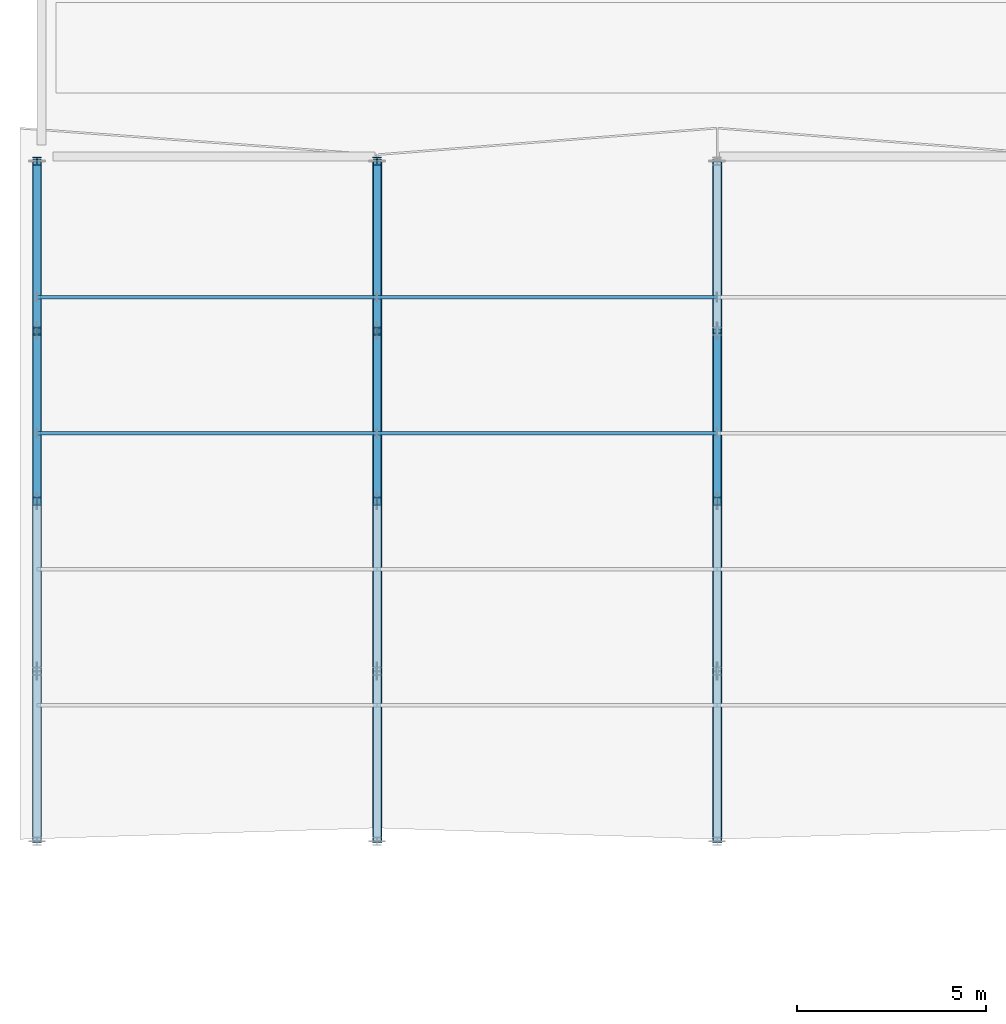
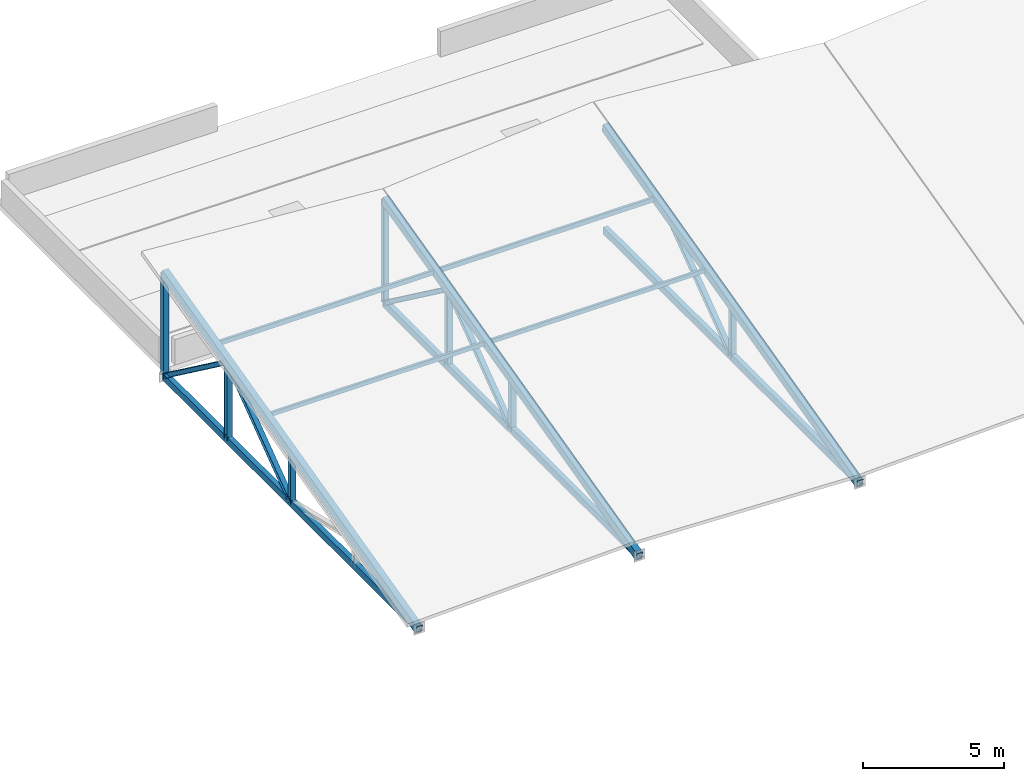
# One storey, part 15 of 67: 22 members.
"""IFC4 building model written with IfcOpenShell, lengths in metres."""

from ifc_helpers import new_model, si_unit, direction, frame, origin, origin_2d, place, context, subcontext, project, spatial, hollow_rectangle, i_section, extrude, material, material_profile, profile_set, type_object, element, save


model = new_model("IFC4")

# Units and contexts
model_context = context("Model", 3, precision=1e-05, world=origin(), true_north=direction((0.0, 1.0)))
body_context = subcontext(model_context, "Body", "Model", "MODEL_VIEW")
ifc_project = project(units=[si_unit("LENGTHUNIT", "METRE"), si_unit("AREAUNIT", "SQUARE_METRE"), si_unit("VOLUMEUNIT", "CUBIC_METRE"), si_unit("PLANEANGLEUNIT", "RADIAN"), si_unit("MASSUNIT", "GRAM", prefix="KILO")], contexts=[model_context])

# Site, building, storey
site_placement = place(None, origin())
site = spatial("IfcSite", under=ifc_project, at=site_placement, CompositionType="ELEMENT")
building_placement = place(site_placement, origin())
building = spatial("IfcBuilding", under=site, at=building_placement, Name="Montelvaro Courts of Justice", CompositionType="ELEMENT")
storey_placement = place(building_placement, frame((0.0, 0.0, 18.89990234375)))
storey = spatial("IfcBuildingStorey", under=building, at=storey_placement, Name="L04", CompositionType="ELEMENT", Elevation=18.89990234375)

# Members
ifc_material = material(Name="Steel S355", Category="steel")
ifc_material_profile_1 = material_profile(ifc_material, i_section(OverallWidth=0.199951171875, OverallDepth=0.18994140625, WebThickness=0.006591796875, FlangeThickness=0.010009765625, at=origin_2d()), Name="HEA 200")
ifc_profile_set_1 = profile_set([ifc_material_profile_1], Name="Steel S355")
member_type_1 = type_object("IfcMemberType", Name="Mem_HEA200_Brace", PredefinedType="BRACE", material=ifc_profile_set_1)
for number, where, z_axis, x_axis, name in (
    (1, (18.0, 33.0, -0.2998046875), (0.0, 0.804273161752, 0.594259775928), (-1.0, 0.0, 0.0), "Roof Truss Web MB-02 ROOF-V3-VTR01-W3"),
    (2, (18.0, 37.5, 3.025146484375), (0.0, 0.804273161752, -0.594259775928), (-1.0, 0.0, 0.0), "Roof Truss Web MB-02 ROOF-V3-VTR01-W4"),
    (3, (27.0, 33.0, -0.2998046875), (0.0, 0.804273161752, 0.594259775928), (-1.0, 0.0, 0.0), "Roof Truss Web MB-02 ROOF-V3-VTR02-W3"),
    (4, (27.0, 37.5, 3.025146484375), (0.0, 0.804273161752, -0.594259775928), (-1.0, 0.0, 0.0), "Roof Truss Web MB-02 ROOF-V3-VTR02-W4"),
    (5, (36.0, 33.0, -0.2998046875), (0.0, 0.804273161752, 0.594259775928), (-1.0, 0.0, 0.0), "Roof Truss Web MB-02 ROOF-V3-VTR03-W3"),
):
    element("IfcMember", number, at=place(storey_placement, frame(where, z_axis=z_axis, x_axis=x_axis)), inside=storey, type_object=member_type_1, Name=name, PredefinedType="BRACE", context=body_context, shape_type="SweptSolid", body=[
        extrude(i_section(OverallWidth=0.199951171875, OverallDepth=0.18994140625, WebThickness=0.006591796875, FlangeThickness=0.010009765625, at=origin_2d()), origin(), (0.0, 0.0, 1.0), 5.59521484375),
    ])
ifc_material_profile_2 = material_profile(ifc_material, i_section(OverallWidth=0.219970703125, OverallDepth=0.2099609375, WebThickness=0.007080078125, FlangeThickness=0.010986328125, at=origin_2d()), Name="HEA 220")
ifc_profile_set_2 = profile_set([ifc_material_profile_2], Name="Steel S355")
member_type_2 = type_object("IfcMemberType", Name="Mem_HEA220_Post", PredefinedType="POST", material=ifc_profile_set_2)
member_1_placement = place(storey_placement, frame((18.0, 33.0, -0.2998046875), z_axis=(0.0, 0.0, 1.0), x_axis=(1.0, 0.0, 0.0)))
element("IfcMember", 6, at=member_1_placement, inside=storey, type_object=member_type_2, Name="Roof Truss Post MP-03 ROOF-V3-VTR01-V2", PredefinedType="POST", context=body_context, shape_type="SweptSolid", body=[
    extrude(i_section(OverallWidth=0.219970703125, OverallDepth=0.2099609375, WebThickness=0.007080078125, FlangeThickness=0.010986328125, at=origin_2d()), origin(), (0.0, 0.0, 1.0), 2.199951171875),
])
member_2_placement = place(storey_placement, frame((18.0, 37.5, -0.2998046875), z_axis=(0.0, 0.0, 1.0), x_axis=(1.0, 0.0, 0.0)))
element("IfcMember", 7, at=member_2_placement, inside=storey, type_object=member_type_2, Name="Roof Truss Post MP-03 ROOF-V3-VTR01-V3", PredefinedType="POST", context=body_context, shape_type="SweptSolid", body=[
    extrude(i_section(OverallWidth=0.219970703125, OverallDepth=0.2099609375, WebThickness=0.007080078125, FlangeThickness=0.010986328125, at=origin_2d()), origin(), (0.0, 0.0, 1.0), 3.324951171875),
])
member_3_placement = place(storey_placement, frame((18.0, 42.0, -0.2998046875), z_axis=(0.0, 0.0, 1.0), x_axis=(1.0, 0.0, 0.0)))
element("IfcMember", 8, at=member_3_placement, inside=storey, type_object=member_type_2, Name="Roof Truss Post MP-03 ROOF-V3-VTR01-V4", PredefinedType="POST", context=body_context, shape_type="SweptSolid", body=[
    extrude(i_section(OverallWidth=0.219970703125, OverallDepth=0.2099609375, WebThickness=0.007080078125, FlangeThickness=0.010986328125, at=origin_2d()), origin(), (0.0, 0.0, 1.0), 4.449951171875),
])
member_4_placement = place(storey_placement, frame((27.0, 33.0, -0.2998046875), z_axis=(0.0, 0.0, 1.0), x_axis=(1.0, 0.0, 0.0)))
element("IfcMember", 9, at=member_4_placement, inside=storey, type_object=member_type_2, Name="Roof Truss Post MP-03 ROOF-V3-VTR02-V2", PredefinedType="POST", context=body_context, shape_type="SweptSolid", body=[
    extrude(i_section(OverallWidth=0.219970703125, OverallDepth=0.2099609375, WebThickness=0.007080078125, FlangeThickness=0.010986328125, at=origin_2d()), origin(), (0.0, 0.0, 1.0), 2.199951171875),
])
member_5_placement = place(storey_placement, frame((27.0, 37.5, -0.2998046875), z_axis=(0.0, 0.0, 1.0), x_axis=(1.0, 0.0, 0.0)))
element("IfcMember", 10, at=member_5_placement, inside=storey, type_object=member_type_2, Name="Roof Truss Post MP-03 ROOF-V3-VTR02-V3", PredefinedType="POST", context=body_context, shape_type="SweptSolid", body=[
    extrude(i_section(OverallWidth=0.219970703125, OverallDepth=0.2099609375, WebThickness=0.007080078125, FlangeThickness=0.010986328125, at=origin_2d()), origin(), (0.0, 0.0, 1.0), 3.324951171875),
])
member_6_placement = place(storey_placement, frame((27.0, 42.0, -0.2998046875), z_axis=(0.0, 0.0, 1.0), x_axis=(1.0, 0.0, 0.0)))
element("IfcMember", 11, at=member_6_placement, inside=storey, type_object=member_type_2, Name="Roof Truss Post MP-03 ROOF-V3-VTR02-V4", PredefinedType="POST", context=body_context, shape_type="SweptSolid", body=[
    extrude(i_section(OverallWidth=0.219970703125, OverallDepth=0.2099609375, WebThickness=0.007080078125, FlangeThickness=0.010986328125, at=origin_2d()), origin(), (0.0, 0.0, 1.0), 4.449951171875),
])
member_7_placement = place(storey_placement, frame((36.0, 33.0, -0.2998046875), z_axis=(0.0, 0.0, 1.0), x_axis=(1.0, 0.0, 0.0)))
element("IfcMember", 12, at=member_7_placement, inside=storey, type_object=member_type_2, Name="Roof Truss Post MP-03 ROOF-V3-VTR03-V2", PredefinedType="POST", context=body_context, shape_type="SweptSolid", body=[
    extrude(i_section(OverallWidth=0.219970703125, OverallDepth=0.2099609375, WebThickness=0.007080078125, FlangeThickness=0.010986328125, at=origin_2d()), origin(), (0.0, 0.0, 1.0), 2.199951171875),
])
ifc_material_profile_3 = material_profile(ifc_material, hollow_rectangle(XDim=0.10009765625, YDim=0.179931640625, WallThickness=0.008056640625, at=origin_2d()), Name="RHS 180x100x8")
ifc_profile_set_3 = profile_set([ifc_material_profile_3], Name="Steel S355")
member_type_3 = type_object("IfcMemberType", Name="Mem_RHS180_Purlin", PredefinedType="PURLIN", material=ifc_profile_set_3)
for number, where, z_axis, x_axis, name in (
    (13, (18.0, 34.800048828125, 2.35009765625), (1.0, 0.0, 0.0), (0.0, 1.0, 0.0), "Roof Purlin MR-03 ROOF-V3-PRL-01-3M"),
    (14, (27.0, 34.800048828125, 2.35009765625), (1.0, 0.0, 0.0), (0.0, 1.0, 0.0), "Roof Purlin MR-03 ROOF-V3-PRL-02-3M"),
):
    element("IfcMember", number, at=place(storey_placement, frame(where, z_axis=z_axis, x_axis=x_axis)), inside=storey, type_object=member_type_3, Name=name, PredefinedType="PURLIN", context=body_context, shape_type="SweptSolid", body=[
        extrude(hollow_rectangle(XDim=0.10009765625, YDim=0.179931640625, WallThickness=0.008056640625, at=origin_2d()), origin(), (0.0, 0.0, 1.0), 9.0),
    ])
ifc_material_profile_4 = material_profile(ifc_material, hollow_rectangle(XDim=0.10009765625, YDim=0.199951171875, WallThickness=0.008056640625, at=origin_2d()), Name="RHS 200x100x8")
ifc_profile_set_4 = profile_set([ifc_material_profile_4], Name="Steel S355")
member_type_4 = type_object("IfcMemberType", Name="Mem_RHS200_Purlin", PredefinedType="PURLIN", material=ifc_profile_set_4)
for number, where, z_axis, x_axis, name in (
    (15, (18.0, 38.39990234375, 3.25), (1.0, 0.0, 0.0), (0.0, 1.0, 0.0), "Roof Purlin MR-04 ROOF-V3-PRL-01-4M"),
    (16, (27.0, 38.39990234375, 3.25), (1.0, 0.0, 0.0), (0.0, 1.0, 0.0), "Roof Purlin MR-04 ROOF-V3-PRL-02-4M"),
):
    element("IfcMember", number, at=place(storey_placement, frame(where, z_axis=z_axis, x_axis=x_axis)), inside=storey, type_object=member_type_4, Name=name, PredefinedType="PURLIN", context=body_context, shape_type="SweptSolid", body=[
        extrude(hollow_rectangle(XDim=0.10009765625, YDim=0.199951171875, WallThickness=0.008056640625, at=origin_2d()), origin(), (0.0, 0.0, 1.0), 9.0),
    ])
ifc_material_profile_5 = material_profile(ifc_material, hollow_rectangle(XDim=0.199951171875, YDim=0.300048828125, WallThickness=0.012451171875, at=origin_2d()), Name="RHS 300x200x12.5")
ifc_profile_set_5 = profile_set([ifc_material_profile_5], Name="Steel S355")
member_type_5 = type_object("IfcMemberType", Name="Mem_RHS300_Chord", PredefinedType="CHORD", material=ifc_profile_set_5)
for number, where, z_axis, x_axis, name in (
    (17, (18.0, 24.0, -0.2998046875), (0.0, 1.0, 0.0), (-1.0, 0.0, 0.0), "Roof Truss ROOF-V3-VTR01 Bottom Chord"),
    (18, (27.0, 24.0, -0.2998046875), (0.0, 1.0, 0.0), (-1.0, 0.0, 0.0), "Roof Truss ROOF-V3-VTR02 Bottom Chord"),
    (19, (36.0, 24.0, -0.2998046875), (0.0, 1.0, 0.0), (-1.0, 0.0, 0.0), "Roof Truss ROOF-V3-VTR03 Bottom Chord"),
):
    element("IfcMember", number, at=place(storey_placement, frame(where, z_axis=z_axis, x_axis=x_axis)), inside=storey, type_object=member_type_5, Name=name, PredefinedType="CHORD", context=body_context, shape_type="SweptSolid", body=[
        extrude(hollow_rectangle(XDim=0.199951171875, YDim=0.300048828125, WallThickness=0.012451171875, at=origin_2d()), origin(), (0.0, 0.0, 1.0), 18.0),
    ])
ifc_material_profile_6 = material_profile(ifc_material, hollow_rectangle(XDim=0.25, YDim=0.35009765625, WallThickness=0.012451171875, at=origin_2d()), Name="RHS 350x250x12.5")
ifc_profile_set_6 = profile_set([ifc_material_profile_6], Name="Steel S355")
member_type_6 = type_object("IfcMemberType", Name="Mem_RHS350_Chord", PredefinedType="CHORD", material=ifc_profile_set_6)
for number, where, z_axis, x_axis, name in (
    (20, (18.0, 24.0, -0.349853515625), (0.0, 0.970142500145, 0.242535625036), (-1.0, 0.0, 0.0), "Roof Truss ROOF-V3-VTR01 Top Chord"),
    (21, (27.0, 24.0, -0.349853515625), (0.0, 0.970142500145, 0.242535625036), (-1.0, 0.0, 0.0), "Roof Truss ROOF-V3-VTR02 Top Chord"),
    (22, (36.0, 24.0, -0.349853515625), (0.0, 0.970142500145, 0.242535625036), (-1.0, 0.0, 0.0), "Roof Truss ROOF-V3-VTR03 Top Chord"),
):
    element("IfcMember", number, at=place(storey_placement, frame(where, z_axis=z_axis, x_axis=x_axis)), inside=storey, type_object=member_type_6, Name=name, PredefinedType="CHORD", context=body_context, shape_type="SweptSolid", body=[
        extrude(hollow_rectangle(XDim=0.25, YDim=0.35009765625, WallThickness=0.012451171875, at=origin_2d()), origin(), (0.0, 0.0, 1.0), 18.553955078125),
    ])

save(model, "model.ifc")
